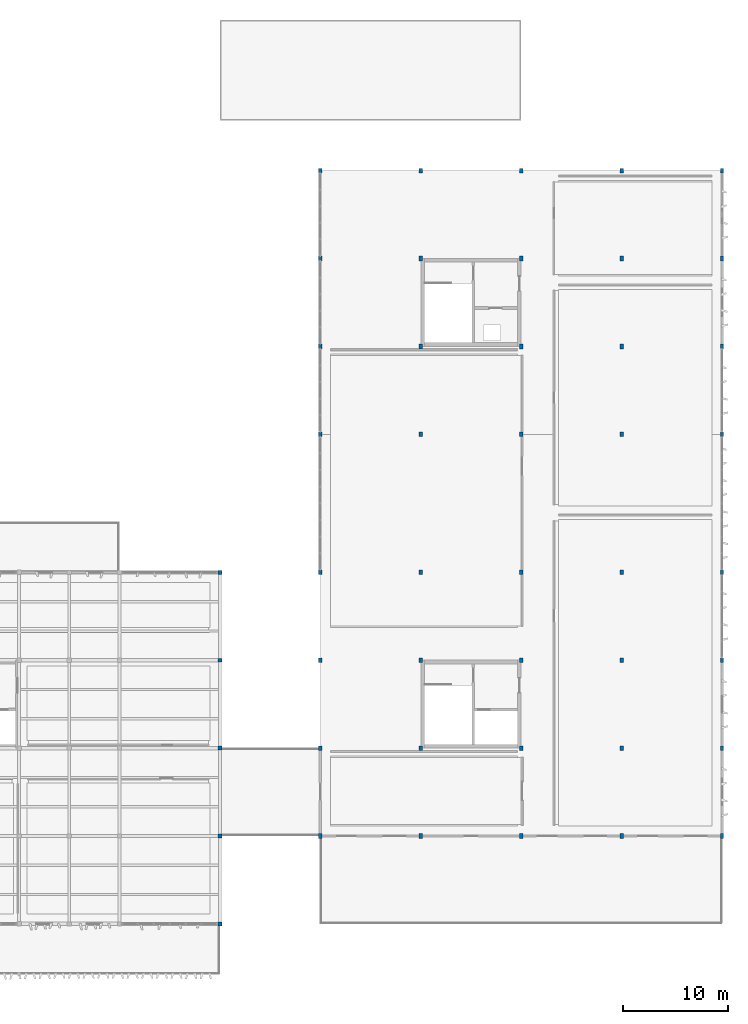
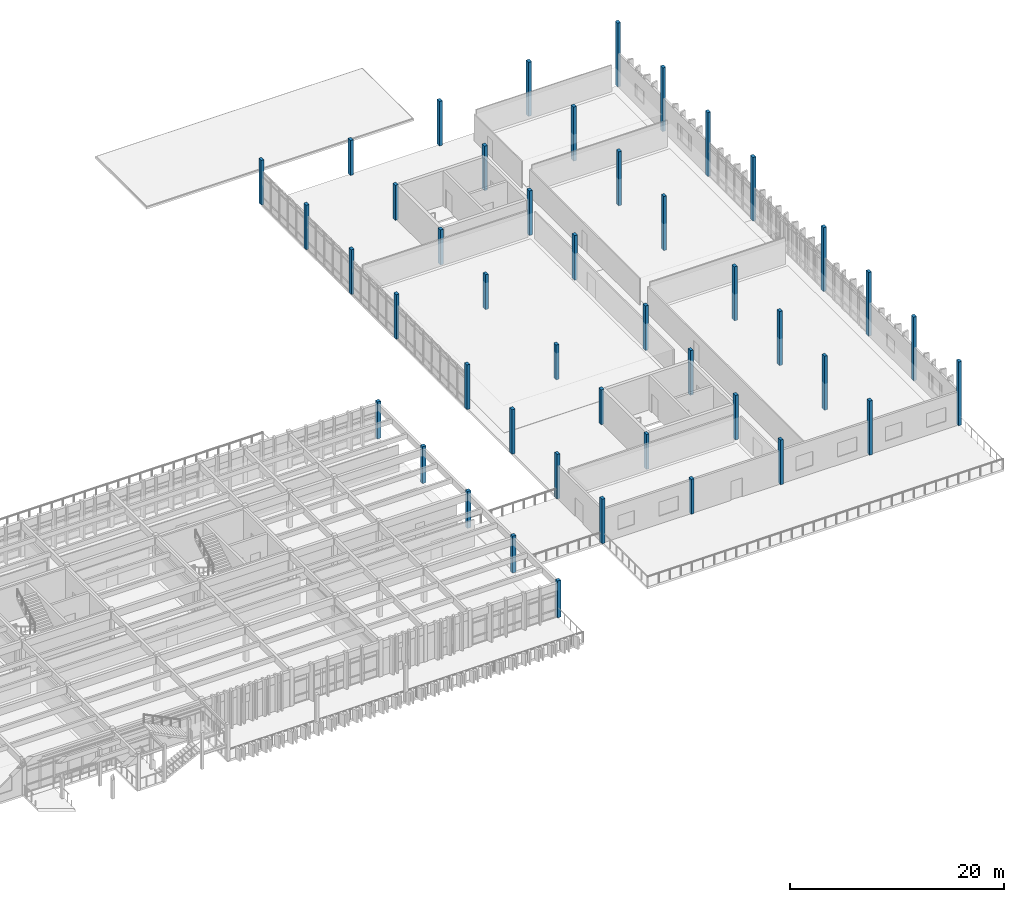
# One storey, part 4 of 61: 45 columns.
"""IFC4 building model written with IfcOpenShell, lengths in metres."""

from ifc_helpers import new_model, si_unit, direction, frame, origin, origin_2d, place, context, subcontext, project, spatial, rectangle, extrude, material, material_profile, profile_set, type_object, element, save


model = new_model("IFC4")

# Units and contexts
model_context = context("Model", 3, precision=1e-05, world=origin(), true_north=direction((0.0, 1.0)))
body_context = subcontext(model_context, "Body", "Model", "MODEL_VIEW")
ifc_project = project(units=[si_unit("LENGTHUNIT", "METRE"), si_unit("AREAUNIT", "SQUARE_METRE"), si_unit("VOLUMEUNIT", "CUBIC_METRE"), si_unit("PLANEANGLEUNIT", "RADIAN"), si_unit("MASSUNIT", "GRAM", prefix="KILO")], contexts=[model_context])

# Site, building, storey
site_placement = place(None, origin())
site = spatial("IfcSite", under=ifc_project, at=site_placement, CompositionType="ELEMENT")
building_placement = place(site_placement, origin())
building = spatial("IfcBuilding", under=site, at=building_placement, Name="Kolvemor Railside Polytechnic", CompositionType="ELEMENT")
storey_placement = place(building_placement, frame((0.0, 0.0, 10.199951171875)))
storey = spatial("IfcBuildingStorey", under=building, at=storey_placement, Name="L02", CompositionType="ELEMENT", Elevation=10.199951171875)

# Columns
ifc_material_1 = material(Name="Glulam GL28h", Category="wood")
ifc_material_profile_1 = material_profile(ifc_material_1, rectangle(XDim=0.31494140625, YDim=0.449951171875, at=origin_2d()), Name="GL315x450")
ifc_profile_set_1 = profile_set([ifc_material_profile_1], Name="Glulam GL28h")
column_type_1 = type_object("IfcColumnType", Name="COL-GL315x450", PredefinedType="COLUMN", material=ifc_profile_set_1)
for number, where, z_axis, x_axis, name in (
    (1, (144.0, 13.199951171875, 0.0), (0.0, 0.0, 1.0), (1.0, 0.0, 0.0), "Column L02-C129"),
    (2, (144.0, 21.60009765625, 0.0), (0.0, 0.0, 1.0), (1.0, 0.0, 0.0), "Column L02-C130"),
    (3, (144.0, 30.0, 0.0), (0.0, 0.0, 1.0), (1.0, 0.0, 0.0), "Column L02-C131"),
    (4, (144.0, 38.39990234375, 0.0), (0.0, 0.0, 1.0), (1.0, 0.0, 0.0), "Column L02-C132"),
    (5, (144.0, 51.60009765625, 0.0), (0.0, 0.0, 1.0), (1.0, 0.0, 0.0), "Column L02-C133"),
    (6, (144.0, 60.0, 0.0), (0.0, 0.0, 1.0), (1.0, 0.0, 0.0), "Column L02-C134"),
    (7, (144.0, 68.39990234375, 0.0), (0.0, 0.0, 1.0), (1.0, 0.0, 0.0), "Column L02-C135"),
    (8, (144.0, 76.800048828125, 0.0), (0.0, 0.0, 1.0), (1.0, 0.0, 0.0), "Column L02-C136"),
):
    element("IfcColumn", number, at=place(storey_placement, frame(where, z_axis=z_axis, x_axis=x_axis)), inside=storey, type_object=column_type_1, Name=name, PredefinedType="COLUMN", context=body_context, shape_type="SweptSolid", body=[
        extrude(rectangle(XDim=0.31494140625, YDim=0.449951171875, at=origin_2d()), origin(), (0.0, 0.0, 1.0), 5.075927734375),
    ])
for number, where, z_axis, x_axis, name in (
    (9, (153.60009765625, 13.199951171875, 0.0), (0.0, 0.0, 1.0), (1.0, 0.0, 0.0), "Column L02-C137"),
    (10, (153.60009765625, 21.60009765625, 0.0), (0.0, 0.0, 1.0), (1.0, 0.0, 0.0), "Column L02-C138"),
    (11, (153.60009765625, 30.0, 0.0), (0.0, 0.0, 1.0), (1.0, 0.0, 0.0), "Column L02-C139"),
    (12, (153.60009765625, 38.39990234375, 0.0), (0.0, 0.0, 1.0), (1.0, 0.0, 0.0), "Column L02-C140"),
    (13, (153.60009765625, 51.60009765625, 0.0), (0.0, 0.0, 1.0), (1.0, 0.0, 0.0), "Column L02-C141"),
    (14, (153.60009765625, 60.0, 0.0), (0.0, 0.0, 1.0), (1.0, 0.0, 0.0), "Column L02-C142"),
    (15, (153.60009765625, 68.39990234375, 0.0), (0.0, 0.0, 1.0), (1.0, 0.0, 0.0), "Column L02-C143"),
    (16, (153.60009765625, 76.800048828125, 0.0), (0.0, 0.0, 1.0), (1.0, 0.0, 0.0), "Column L02-C144"),
):
    element("IfcColumn", number, at=place(storey_placement, frame(where, z_axis=z_axis, x_axis=x_axis)), inside=storey, type_object=column_type_1, Name=name, PredefinedType="COLUMN", context=body_context, shape_type="SweptSolid", body=[
        extrude(rectangle(XDim=0.31494140625, YDim=0.449951171875, at=origin_2d()), origin(), (0.0, 0.0, 1.0), 3.97998046875),
    ])
for number, where, z_axis, x_axis, name in (
    (17, (163.199951171875, 13.199951171875, 0.0), (0.0, 0.0, 1.0), (1.0, 0.0, 0.0), "Column L02-C145"),
    (18, (163.199951171875, 21.60009765625, 0.0), (0.0, 0.0, 1.0), (1.0, 0.0, 0.0), "Column L02-C146"),
    (19, (163.199951171875, 30.0, 0.0), (0.0, 0.0, 1.0), (1.0, 0.0, 0.0), "Column L02-C147"),
    (20, (163.199951171875, 38.39990234375, 0.0), (0.0, 0.0, 1.0), (1.0, 0.0, 0.0), "Column L02-C148"),
    (21, (163.199951171875, 51.60009765625, 0.0), (0.0, 0.0, 1.0), (1.0, 0.0, 0.0), "Column L02-C149"),
    (22, (163.199951171875, 60.0, 0.0), (0.0, 0.0, 1.0), (1.0, 0.0, 0.0), "Column L02-C150"),
    (23, (163.199951171875, 68.39990234375, 0.0), (0.0, 0.0, 1.0), (1.0, 0.0, 0.0), "Column L02-C151"),
    (24, (163.199951171875, 76.800048828125, 0.0), (0.0, 0.0, 1.0), (1.0, 0.0, 0.0), "Column L02-C152"),
):
    element("IfcColumn", number, at=place(storey_placement, frame(where, z_axis=z_axis, x_axis=x_axis)), inside=storey, type_object=column_type_1, Name=name, PredefinedType="COLUMN", context=body_context, shape_type="SweptSolid", body=[
        extrude(rectangle(XDim=0.31494140625, YDim=0.449951171875, at=origin_2d()), origin(), (0.0, 0.0, 1.0), 5.072021484375),
    ])
for number, where, z_axis, x_axis, name in (
    (25, (172.800048828125, 13.199951171875, 0.0), (0.0, 0.0, 1.0), (1.0, 0.0, 0.0), "Column L02-C153"),
    (26, (172.800048828125, 21.60009765625, 0.0), (0.0, 0.0, 1.0), (1.0, 0.0, 0.0), "Column L02-C154"),
    (27, (172.800048828125, 30.0, 0.0), (0.0, 0.0, 1.0), (1.0, 0.0, 0.0), "Column L02-C155"),
    (28, (172.800048828125, 38.39990234375, 0.0), (0.0, 0.0, 1.0), (1.0, 0.0, 0.0), "Column L02-C156"),
    (29, (172.800048828125, 51.60009765625, 0.0), (0.0, 0.0, 1.0), (1.0, 0.0, 0.0), "Column L02-C157"),
    (30, (172.800048828125, 60.0, 0.0), (0.0, 0.0, 1.0), (1.0, 0.0, 0.0), "Column L02-C158"),
    (31, (172.800048828125, 68.39990234375, 0.0), (0.0, 0.0, 1.0), (1.0, 0.0, 0.0), "Column L02-C159"),
    (32, (172.800048828125, 76.800048828125, 0.0), (0.0, 0.0, 1.0), (1.0, 0.0, 0.0), "Column L02-C160"),
):
    element("IfcColumn", number, at=place(storey_placement, frame(where, z_axis=z_axis, x_axis=x_axis)), inside=storey, type_object=column_type_1, Name=name, PredefinedType="COLUMN", context=body_context, shape_type="SweptSolid", body=[
        extrude(rectangle(XDim=0.31494140625, YDim=0.449951171875, at=origin_2d()), origin(), (0.0, 0.0, 1.0), 6.1650390625),
    ])
for number, where, z_axis, x_axis, name in (
    (33, (182.39990234375, 13.199951171875, 0.0), (0.0, 0.0, 1.0), (1.0, 0.0, 0.0), "Column L02-C161"),
    (34, (182.39990234375, 21.60009765625, 0.0), (0.0, 0.0, 1.0), (1.0, 0.0, 0.0), "Column L02-C162"),
    (35, (182.39990234375, 30.0, 0.0), (0.0, 0.0, 1.0), (1.0, 0.0, 0.0), "Column L02-C163"),
    (36, (182.39990234375, 38.39990234375, 0.0), (0.0, 0.0, 1.0), (1.0, 0.0, 0.0), "Column L02-C164"),
    (37, (182.39990234375, 51.60009765625, 0.0), (0.0, 0.0, 1.0), (1.0, 0.0, 0.0), "Column L02-C165"),
    (38, (182.39990234375, 60.0, 0.0), (0.0, 0.0, 1.0), (1.0, 0.0, 0.0), "Column L02-C166"),
    (39, (182.39990234375, 68.39990234375, 0.0), (0.0, 0.0, 1.0), (1.0, 0.0, 0.0), "Column L02-C167"),
    (40, (182.39990234375, 76.800048828125, 0.0), (0.0, 0.0, 1.0), (1.0, 0.0, 0.0), "Column L02-C168"),
):
    element("IfcColumn", number, at=place(storey_placement, frame(where, z_axis=z_axis, x_axis=x_axis)), inside=storey, type_object=column_type_1, Name=name, PredefinedType="COLUMN", context=body_context, shape_type="SweptSolid", body=[
        extrude(rectangle(XDim=0.31494140625, YDim=0.449951171875, at=origin_2d()), origin(), (0.0, 0.0, 1.0), 7.257080078125),
    ])
ifc_material_2 = material(Name="Glulam GL28h", Category="wood")
ifc_material_profile_2 = material_profile(ifc_material_2, rectangle(XDim=0.364990234375, YDim=0.364990234375, at=origin_2d()), Name="GL365x365")
ifc_profile_set_2 = profile_set([ifc_material_profile_2], Name="Glulam GL28h")
column_type_2 = type_object("IfcColumnType", Name="COL-GL365", PredefinedType="COLUMN", material=ifc_profile_set_2)
for number, where, z_axis, x_axis, name in (
    (41, (134.39990234375, 4.800048828125, 0.0), (0.0, 0.0, 1.0), (1.0, 0.0, 0.0), "Column L02-C124"),
    (42, (134.39990234375, 13.199951171875, 0.0), (0.0, 0.0, 1.0), (1.0, 0.0, 0.0), "Column L02-C125"),
    (43, (134.39990234375, 21.60009765625, 0.0), (0.0, 0.0, 1.0), (1.0, 0.0, 0.0), "Column L02-C126"),
    (44, (134.39990234375, 30.0, 0.0), (0.0, 0.0, 1.0), (1.0, 0.0, 0.0), "Column L02-C127"),
    (45, (134.39990234375, 38.39990234375, 0.0), (0.0, 0.0, 1.0), (1.0, 0.0, 0.0), "Column L02-C128"),
):
    element("IfcColumn", number, at=place(storey_placement, frame(where, z_axis=z_axis, x_axis=x_axis)), inside=storey, type_object=column_type_2, Name=name, PredefinedType="COLUMN", context=body_context, shape_type="SweptSolid", body=[
        extrude(rectangle(XDim=0.364990234375, YDim=0.364990234375, at=origin_2d()), origin(), (0.0, 0.0, 1.0), 4.199951171875),
    ])

save(model, "model.ifc")
